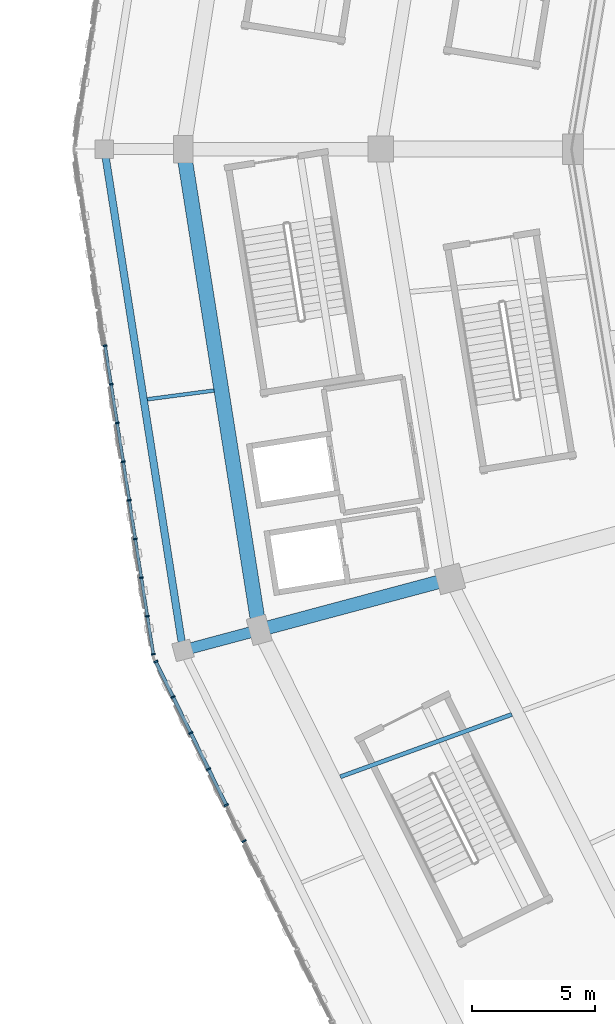
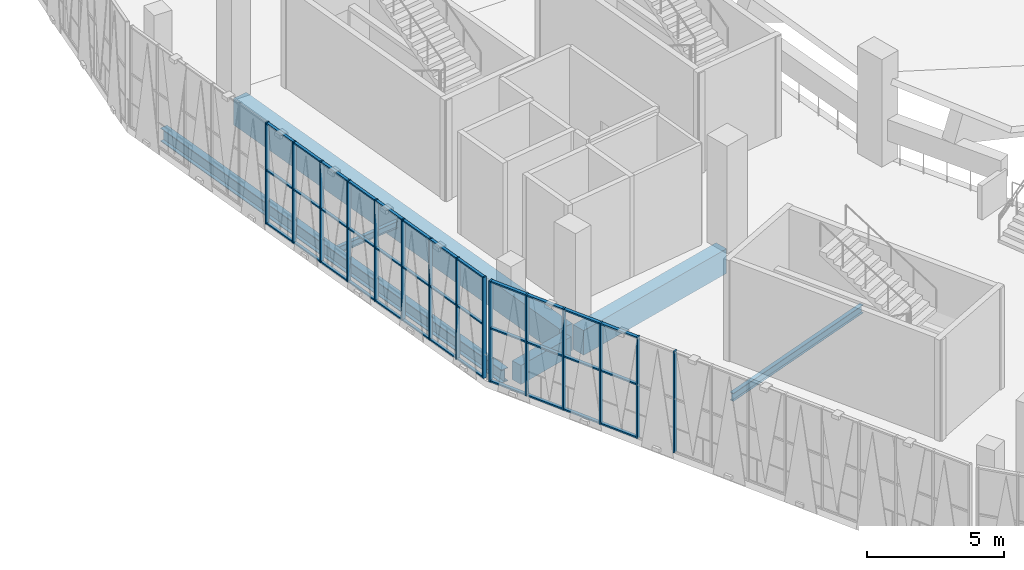
# One storey, part 19 of 183: 51 members, 6 beams, 2 elements without a shape of their own.
"""IFC4 building model written with IfcOpenShell, lengths in metres."""

from ifc_helpers import new_model, si_unit, direction, frame, origin, origin_2d, place, context, subcontext, project, spatial, rectangle, i_section, extrude, material, material_profile, profile_set, type_object, element, aggregate, save


model = new_model("IFC4")

# Units and contexts
model_context = context("Model", 3, precision=1e-05, world=origin(), true_north=direction((0.0, 1.0)))
body_context = subcontext(model_context, "Body", "Model", "MODEL_VIEW")
ifc_project = project(units=[si_unit("LENGTHUNIT", "METRE"), si_unit("AREAUNIT", "SQUARE_METRE"), si_unit("VOLUMEUNIT", "CUBIC_METRE"), si_unit("PLANEANGLEUNIT", "RADIAN"), si_unit("MASSUNIT", "GRAM", prefix="KILO")], contexts=[model_context])

# Site, building, storey
site_placement = place(None, origin())
site = spatial("IfcSite", under=ifc_project, at=site_placement, CompositionType="ELEMENT")
building_placement = place(site_placement, origin())
building = spatial("IfcBuilding", under=site, at=building_placement, Name="Zevraka Park Crest Stadium", CompositionType="ELEMENT")
storey_placement = place(building_placement, frame((0.0, 0.0, 5.39990234375)))
storey = spatial("IfcBuildingStorey", under=building, at=storey_placement, Name="L01", CompositionType="ELEMENT", Elevation=5.39990234375)

# Beams
ifc_material_1 = material(Name="Concrete C40/50", Category="concrete")
ifc_material_profile_1 = material_profile(ifc_material_1, rectangle(XDim=0.550048828125, YDim=1.10009765625, at=origin_2d()), Name="RC 1100x550")
ifc_profile_set_1 = profile_set([ifc_material_profile_1], Name="Concrete C40/50")
beam_type_1 = type_object("IfcBeamType", Name="BG02", PredefinedType="BEAM", material=ifc_profile_set_1)
beam_1_placement = place(storey_placement, frame((32.214111328125, 74.5029296875, -0.559814453125), z_axis=(-0.965968812251, -0.258658565986, 0.0), x_axis=(0.258658565986, -0.965968812251, 0.0)))
element("IfcBeam", 1, at=beam_1_placement, inside=storey, type_object=beam_type_1, Name="Radial Girder BG02 L01-CD-13", PredefinedType="BEAM", context=body_context, shape_type="SweptSolid", body=[
    extrude(rectangle(XDim=0.550048828125, YDim=1.10009765625, at=origin_2d()), origin(), (0.0, 0.0, 1.0), 7.39892578125),
])
ifc_material_2 = material(Name="Concrete C40/50", Category="concrete")
ifc_material_profile_2 = material_profile(ifc_material_2, rectangle(XDim=0.449951171875, YDim=0.85009765625, at=origin_2d()), Name="RC 850x450")
ifc_profile_set_2 = profile_set([ifc_material_profile_2], Name="Concrete C40/50")
beam_type_2 = type_object("IfcBeamType", Name="BG03", PredefinedType="BEAM", material=ifc_profile_set_2)
beam_2_placement = place(storey_placement, frame((24.487060546875, 72.43310546875, -0.434814453125), z_axis=(-0.965992888406, -0.258568636051, 0.0), x_axis=(0.258568636051, -0.965992888406, 0.0)))
element("IfcBeam", 2, at=beam_2_placement, inside=storey, type_object=beam_type_2, Name="Radial Girder BG03 L01-DE-13", PredefinedType="BEAM", context=body_context, shape_type="SweptSolid", body=[
    extrude(rectangle(XDim=0.449951171875, YDim=0.85009765625, at=origin_2d()), origin(), (0.0, 0.0, 1.0), 2.599365234375),
])

# Curtain wall, members
ifc_material_3 = material(Name="Anodised architectural aluminium and laminated safety glass", Category="aluminium")
curtain_wall_type_1 = type_object("IfcCurtainWallType", Name="CW01", PredefinedType="NOTDEFINED", material=ifc_material_3)
curtain_wall_1_placement = place(storey_placement, origin())
curtain_wall_1 = element("IfcCurtainWall", 3, at=curtain_wall_1_placement, inside=storey, type_object=curtain_wall_type_1, Name="Unitised Ring Curtain Wall CW01 L01-12", PredefinedType="NOTDEFINED")
ifc_material_4 = material(Name="Anodised architectural aluminium", Category="aluminium")
ifc_material_profile_3 = material_profile(ifc_material_4, rectangle(XDim=0.159912109375, YDim=0.06005859375, at=origin_2d()), Name="ALU MULLION 160x60")
ifc_profile_set_3 = profile_set([ifc_material_profile_3], Name="Anodised architectural aluminium")
member_type_1 = type_object("IfcMemberType", Name="CM01", PredefinedType="MULLION", material=ifc_profile_set_3)
member_1_placement = place(storey_placement, frame((18.5263671875, 84.03662109375, 0.0), z_axis=(0.0, 0.0, 1.0), x_axis=(0.987996544735, 0.154475977394, 0.0)))
member_1 = element("IfcMember", 4, at=member_1_placement, type_object=member_type_1, Name="CW01 mullion 6", PredefinedType="MULLION", context=body_context, shape_type="SweptSolid", body=[
    extrude(rectangle(XDim=0.159912109375, YDim=0.06005859375, at=origin_2d()), origin(), (0.0, 0.0, 1.0), 4.52001953125),
])
member_2_placement = place(storey_placement, frame((18.771484375, 82.46923828125, 0.0), z_axis=(0.0, 0.0, 1.0), x_axis=(0.987996544735, 0.154475977394, 0.0)))
member_2 = element("IfcMember", 5, at=member_2_placement, type_object=member_type_1, Name="CW01 mullion 7", PredefinedType="MULLION", context=body_context, shape_type="SweptSolid", body=[
    extrude(rectangle(XDim=0.159912109375, YDim=0.06005859375, at=origin_2d()), origin(), (0.0, 0.0, 1.0), 4.52001953125),
])
member_3_placement = place(storey_placement, frame((19.0166015625, 80.90185546875, 0.0), z_axis=(0.0, 0.0, 1.0), x_axis=(0.987996544735, 0.154475977394, 0.0)))
member_3 = element("IfcMember", 6, at=member_3_placement, type_object=member_type_1, Name="CW01 mullion 8", PredefinedType="MULLION", context=body_context, shape_type="SweptSolid", body=[
    extrude(rectangle(XDim=0.159912109375, YDim=0.06005859375, at=origin_2d()), origin(), (0.0, 0.0, 1.0), 4.52001953125),
])
member_4_placement = place(storey_placement, frame((19.26171875, 79.334228515625, 0.0), z_axis=(0.0, 0.0, 1.0), x_axis=(0.987996544735, 0.154475977394, 0.0)))
member_4 = element("IfcMember", 7, at=member_4_placement, type_object=member_type_1, Name="CW01 mullion 9", PredefinedType="MULLION", context=body_context, shape_type="SweptSolid", body=[
    extrude(rectangle(XDim=0.159912109375, YDim=0.06005859375, at=origin_2d()), origin(), (0.0, 0.0, 1.0), 4.52001953125),
])
member_5_placement = place(storey_placement, frame((19.506591796875, 77.766845703125, 0.0), z_axis=(0.0, 0.0, 1.0), x_axis=(0.987996544735, 0.154475977394, 0.0)))
member_5 = element("IfcMember", 8, at=member_5_placement, type_object=member_type_1, Name="CW01 mullion 10", PredefinedType="MULLION", context=body_context, shape_type="SweptSolid", body=[
    extrude(rectangle(XDim=0.159912109375, YDim=0.06005859375, at=origin_2d()), origin(), (0.0, 0.0, 1.0), 4.52001953125),
])
member_6_placement = place(storey_placement, frame((19.751708984375, 76.199462890625, 0.0), z_axis=(0.0, 0.0, 1.0), x_axis=(0.987996544735, 0.154475977394, 0.0)))
member_6 = element("IfcMember", 9, at=member_6_placement, type_object=member_type_1, Name="CW01 mullion 11", PredefinedType="MULLION", context=body_context, shape_type="SweptSolid", body=[
    extrude(rectangle(XDim=0.159912109375, YDim=0.06005859375, at=origin_2d()), origin(), (0.0, 0.0, 1.0), 4.52001953125),
])
member_7_placement = place(storey_placement, frame((19.996826171875, 74.6318359375, 0.0), z_axis=(0.0, 0.0, 1.0), x_axis=(0.987996544735, 0.154475977394, 0.0)))
member_7 = element("IfcMember", 10, at=member_7_placement, type_object=member_type_1, Name="CW01 mullion 12", PredefinedType="MULLION", context=body_context, shape_type="SweptSolid", body=[
    extrude(rectangle(XDim=0.159912109375, YDim=0.06005859375, at=origin_2d()), origin(), (0.0, 0.0, 1.0), 4.52001953125),
])
member_8_placement = place(storey_placement, frame((20.241943359375, 73.064453125, 0.0), z_axis=(0.0, 0.0, 1.0), x_axis=(0.987996544735, 0.154475977394, 0.0)))
member_8 = element("IfcMember", 11, at=member_8_placement, type_object=member_type_1, Name="CW01 mullion 13", PredefinedType="MULLION", context=body_context, shape_type="SweptSolid", body=[
    extrude(rectangle(XDim=0.159912109375, YDim=0.06005859375, at=origin_2d()), origin(), (0.0, 0.0, 1.0), 4.52001953125),
])
member_9_placement = place(storey_placement, frame((20.482421875, 71.526611328125, 0.0), z_axis=(0.0, 0.0, 1.0), x_axis=(0.987996544735, 0.154475977394, 0.0)))
member_9 = element("IfcMember", 12, at=member_9_placement, type_object=member_type_1, Name="CW01 mullion 14", PredefinedType="MULLION", context=body_context, shape_type="SweptSolid", body=[
    extrude(rectangle(XDim=0.159912109375, YDim=0.06005859375, at=origin_2d()), origin(), (0.0, 0.0, 1.0), 4.52001953125),
])

ifc_material_5 = material(Name="Anodised architectural aluminium and laminated safety glass", Category="aluminium")
curtain_wall_type_2 = type_object("IfcCurtainWallType", Name="CW02", PredefinedType="NOTDEFINED", material=ifc_material_5)
curtain_wall_2_placement = place(storey_placement, origin())
curtain_wall_2 = element("IfcCurtainWall", 13, at=curtain_wall_2_placement, inside=storey, type_object=curtain_wall_type_2, Name="Unitised Ring Curtain Wall CW02 L01-13", PredefinedType="NOTDEFINED")
ifc_material_6 = material(Name="Anodised architectural aluminium", Category="aluminium")
ifc_material_profile_4 = material_profile(ifc_material_6, rectangle(XDim=0.179931640625, YDim=0.06494140625, at=origin_2d()), Name="ALU MULLION 180x65")
ifc_profile_set_4 = profile_set([ifc_material_profile_4], Name="Anodised architectural aluminium")
member_type_2 = type_object("IfcMemberType", Name="CM02", PredefinedType="MULLION", material=ifc_profile_set_4)
member_10_placement = place(storey_placement, frame((20.578369140625, 71.226806640625, 0.0), z_axis=(0.0, 0.0, 1.0), x_axis=(0.897252732312, 0.44151730924, 0.0)))
member_10 = element("IfcMember", 14, at=member_10_placement, type_object=member_type_2, Name="CW02 mullion 1", PredefinedType="MULLION", context=body_context, shape_type="SweptSolid", body=[
    extrude(rectangle(XDim=0.179931640625, YDim=0.06494140625, at=origin_2d()), origin(), (0.0, 0.0, 1.0), 4.52001953125),
])
member_11_placement = place(storey_placement, frame((21.282958984375, 69.794921875, 0.0), z_axis=(0.0, 0.0, 1.0), x_axis=(0.897252732312, 0.44151730924, 0.0)))
member_11 = element("IfcMember", 15, at=member_11_placement, type_object=member_type_2, Name="CW02 mullion 2", PredefinedType="MULLION", context=body_context, shape_type="SweptSolid", body=[
    extrude(rectangle(XDim=0.179931640625, YDim=0.06494140625, at=origin_2d()), origin(), (0.0, 0.0, 1.0), 4.52001953125),
])
member_12_placement = place(storey_placement, frame((22.001953125, 68.333740234375, 0.0), z_axis=(0.0, 0.0, 1.0), x_axis=(0.897252732312, 0.44151730924, 0.0)))
member_12 = element("IfcMember", 16, at=member_12_placement, type_object=member_type_2, Name="CW02 mullion 3", PredefinedType="MULLION", context=body_context, shape_type="SweptSolid", body=[
    extrude(rectangle(XDim=0.179931640625, YDim=0.06494140625, at=origin_2d()), origin(), (0.0, 0.0, 1.0), 4.52001953125),
])
member_13_placement = place(storey_placement, frame((22.720947265625, 66.87255859375, 0.0), z_axis=(0.0, 0.0, 1.0), x_axis=(0.897252732312, 0.44151730924, 0.0)))
member_13 = element("IfcMember", 17, at=member_13_placement, type_object=member_type_2, Name="CW02 mullion 4", PredefinedType="MULLION", context=body_context, shape_type="SweptSolid", body=[
    extrude(rectangle(XDim=0.179931640625, YDim=0.06494140625, at=origin_2d()), origin(), (0.0, 0.0, 1.0), 4.52001953125),
])
member_14_placement = place(storey_placement, frame((23.43994140625, 65.411376953125, 0.0), z_axis=(0.0, 0.0, 1.0), x_axis=(0.897252732312, 0.44151730924, 0.0)))
member_14 = element("IfcMember", 18, at=member_14_placement, type_object=member_type_2, Name="CW02 mullion 5", PredefinedType="MULLION", context=body_context, shape_type="SweptSolid", body=[
    extrude(rectangle(XDim=0.179931640625, YDim=0.06494140625, at=origin_2d()), origin(), (0.0, 0.0, 1.0), 4.52001953125),
])
member_15_placement = place(storey_placement, frame((24.158935546875, 63.9501953125, 0.0), z_axis=(0.0, 0.0, 1.0), x_axis=(0.897252732312, 0.44151730924, 0.0)))
member_15 = element("IfcMember", 19, at=member_15_placement, type_object=member_type_2, Name="CW02 mullion 6", PredefinedType="MULLION", context=body_context, shape_type="SweptSolid", body=[
    extrude(rectangle(XDim=0.179931640625, YDim=0.06494140625, at=origin_2d()), origin(), (0.0, 0.0, 1.0), 4.52001953125),
])

# Member
ifc_material_7 = material(Name="Anodised architectural aluminium", Category="aluminium")
ifc_material_profile_5 = material_profile(ifc_material_7, rectangle(XDim=0.1201171875, YDim=0.06005859375, at=origin_2d()), Name="ALU TRANSOM 120x60")
ifc_profile_set_5 = profile_set([ifc_material_profile_5], Name="Anodised architectural aluminium")
member_type_3 = type_object("IfcMemberType", Name="CT01", PredefinedType="USERDEFINED", material=ifc_profile_set_5)
member_16_placement = place(storey_placement, frame((18.531005859375, 84.007080078125, 0.030029296875), z_axis=(0.154484205161, -0.987995258266, 0.0), x_axis=(0.987995258266, 0.154484205161, 0.0)))
member_16 = element("IfcMember", 20, at=member_16_placement, type_object=member_type_3, Name="CW01 transom 6.1", ObjectType="TRANSOM", PredefinedType="USERDEFINED", context=body_context, shape_type="SweptSolid", body=[
    extrude(rectangle(XDim=0.1201171875, YDim=0.06005859375, at=origin_2d()), origin(), (0.0, 0.0, 1.0), 1.526611328125),
])

member_17_placement = place(storey_placement, frame((18.531005859375, 84.007080078125, 2.400146484375), z_axis=(0.154484205161, -0.987995258266, 0.0), x_axis=(0.987995258266, 0.154484205161, 0.0)))
member_17 = element("IfcMember", 21, at=member_17_placement, type_object=member_type_3, Name="CW01 transom 6.2", ObjectType="TRANSOM", PredefinedType="USERDEFINED", context=body_context, shape_type="SweptSolid", body=[
    extrude(rectangle(XDim=0.1201171875, YDim=0.06005859375, at=origin_2d()), origin(), (0.0, 0.0, 1.0), 1.526611328125),
])

member_18_placement = place(storey_placement, frame((18.531005859375, 84.007080078125, 4.489990234375), z_axis=(0.154484205161, -0.987995258266, 0.0), x_axis=(0.987995258266, 0.154484205161, 0.0)))
member_18 = element("IfcMember", 22, at=member_18_placement, type_object=member_type_3, Name="CW01 transom 6.3", ObjectType="TRANSOM", PredefinedType="USERDEFINED", context=body_context, shape_type="SweptSolid", body=[
    extrude(rectangle(XDim=0.1201171875, YDim=0.06005859375, at=origin_2d()), origin(), (0.0, 0.0, 1.0), 1.526611328125),
])

member_19_placement = place(storey_placement, frame((18.776123046875, 82.439697265625, 0.030029296875), z_axis=(0.154484205161, -0.987995258266, 0.0), x_axis=(0.987995258266, 0.154484205161, 0.0)))
member_19 = element("IfcMember", 23, at=member_19_placement, type_object=member_type_3, Name="CW01 transom 7.1", ObjectType="TRANSOM", PredefinedType="USERDEFINED", context=body_context, shape_type="SweptSolid", body=[
    extrude(rectangle(XDim=0.1201171875, YDim=0.06005859375, at=origin_2d()), origin(), (0.0, 0.0, 1.0), 1.526611328125),
])

member_20_placement = place(storey_placement, frame((18.776123046875, 82.439697265625, 2.400146484375), z_axis=(0.154484205161, -0.987995258266, 0.0), x_axis=(0.987995258266, 0.154484205161, 0.0)))
member_20 = element("IfcMember", 24, at=member_20_placement, type_object=member_type_3, Name="CW01 transom 7.2", ObjectType="TRANSOM", PredefinedType="USERDEFINED", context=body_context, shape_type="SweptSolid", body=[
    extrude(rectangle(XDim=0.1201171875, YDim=0.06005859375, at=origin_2d()), origin(), (0.0, 0.0, 1.0), 1.526611328125),
])

member_21_placement = place(storey_placement, frame((18.776123046875, 82.439697265625, 4.489990234375), z_axis=(0.154484205161, -0.987995258266, 0.0), x_axis=(0.987995258266, 0.154484205161, 0.0)))
member_21 = element("IfcMember", 25, at=member_21_placement, type_object=member_type_3, Name="CW01 transom 7.3", ObjectType="TRANSOM", PredefinedType="USERDEFINED", context=body_context, shape_type="SweptSolid", body=[
    extrude(rectangle(XDim=0.1201171875, YDim=0.06005859375, at=origin_2d()), origin(), (0.0, 0.0, 1.0), 1.526611328125),
])

member_22_placement = place(storey_placement, frame((19.021240234375, 80.8720703125, 0.030029296875), z_axis=(0.154508617741, -0.987991440774, 0.0), x_axis=(0.987991440774, 0.154508617741, 0.0)))
member_22 = element("IfcMember", 26, at=member_22_placement, type_object=member_type_3, Name="CW01 transom 8.1", ObjectType="TRANSOM", PredefinedType="USERDEFINED", context=body_context, shape_type="SweptSolid", body=[
    extrude(rectangle(XDim=0.1201171875, YDim=0.06005859375, at=origin_2d()), origin(), (0.0, 0.0, 1.0), 1.5263671875),
])

member_23_placement = place(storey_placement, frame((19.021240234375, 80.8720703125, 2.400146484375), z_axis=(0.154508617741, -0.987991440774, 0.0), x_axis=(0.987991440774, 0.154508617741, 0.0)))
member_23 = element("IfcMember", 27, at=member_23_placement, type_object=member_type_3, Name="CW01 transom 8.2", ObjectType="TRANSOM", PredefinedType="USERDEFINED", context=body_context, shape_type="SweptSolid", body=[
    extrude(rectangle(XDim=0.1201171875, YDim=0.06005859375, at=origin_2d()), origin(), (0.0, 0.0, 1.0), 1.5263671875),
])

member_24_placement = place(storey_placement, frame((19.021240234375, 80.8720703125, 4.489990234375), z_axis=(0.154508617741, -0.987991440774, 0.0), x_axis=(0.987991440774, 0.154508617741, 0.0)))
member_24 = element("IfcMember", 28, at=member_24_placement, type_object=member_type_3, Name="CW01 transom 8.3", ObjectType="TRANSOM", PredefinedType="USERDEFINED", context=body_context, shape_type="SweptSolid", body=[
    extrude(rectangle(XDim=0.1201171875, YDim=0.06005859375, at=origin_2d()), origin(), (0.0, 0.0, 1.0), 1.5263671875),
])

member_25_placement = place(storey_placement, frame((19.266357421875, 79.3046875, 0.030029296875), z_axis=(0.154328094427, -0.988019655306, 0.0), x_axis=(0.988019655306, 0.154328094427, 0.0)))
member_25 = element("IfcMember", 29, at=member_25_placement, type_object=member_type_3, Name="CW01 transom 9.1", ObjectType="TRANSOM", PredefinedType="USERDEFINED", context=body_context, shape_type="SweptSolid", body=[
    extrude(rectangle(XDim=0.1201171875, YDim=0.06005859375, at=origin_2d()), origin(), (0.0, 0.0, 1.0), 1.526611328125),
])

member_26_placement = place(storey_placement, frame((19.266357421875, 79.3046875, 2.400146484375), z_axis=(0.154328094427, -0.988019655306, 0.0), x_axis=(0.988019655306, 0.154328094427, 0.0)))
member_26 = element("IfcMember", 30, at=member_26_placement, type_object=member_type_3, Name="CW01 transom 9.2", ObjectType="TRANSOM", PredefinedType="USERDEFINED", context=body_context, shape_type="SweptSolid", body=[
    extrude(rectangle(XDim=0.1201171875, YDim=0.06005859375, at=origin_2d()), origin(), (0.0, 0.0, 1.0), 1.526611328125),
])

member_27_placement = place(storey_placement, frame((19.266357421875, 79.3046875, 4.489990234375), z_axis=(0.154328094427, -0.988019655306, 0.0), x_axis=(0.988019655306, 0.154328094427, 0.0)))
member_27 = element("IfcMember", 31, at=member_27_placement, type_object=member_type_3, Name="CW01 transom 9.3", ObjectType="TRANSOM", PredefinedType="USERDEFINED", context=body_context, shape_type="SweptSolid", body=[
    extrude(rectangle(XDim=0.1201171875, YDim=0.06005859375, at=origin_2d()), origin(), (0.0, 0.0, 1.0), 1.526611328125),
])

member_28_placement = place(storey_placement, frame((19.51123046875, 77.7373046875, 0.030029296875), z_axis=(0.154484205161, -0.987995258266, 0.0), x_axis=(0.987995258266, 0.154484205161, 0.0)))
member_28 = element("IfcMember", 32, at=member_28_placement, type_object=member_type_3, Name="CW01 transom 10.1", ObjectType="TRANSOM", PredefinedType="USERDEFINED", context=body_context, shape_type="SweptSolid", body=[
    extrude(rectangle(XDim=0.1201171875, YDim=0.06005859375, at=origin_2d()), origin(), (0.0, 0.0, 1.0), 1.526611328125),
])

member_29_placement = place(storey_placement, frame((19.51123046875, 77.7373046875, 2.400146484375), z_axis=(0.154484205161, -0.987995258266, 0.0), x_axis=(0.987995258266, 0.154484205161, 0.0)))
member_29 = element("IfcMember", 33, at=member_29_placement, type_object=member_type_3, Name="CW01 transom 10.2", ObjectType="TRANSOM", PredefinedType="USERDEFINED", context=body_context, shape_type="SweptSolid", body=[
    extrude(rectangle(XDim=0.1201171875, YDim=0.06005859375, at=origin_2d()), origin(), (0.0, 0.0, 1.0), 1.526611328125),
])

member_30_placement = place(storey_placement, frame((19.51123046875, 77.7373046875, 4.489990234375), z_axis=(0.154484205161, -0.987995258266, 0.0), x_axis=(0.987995258266, 0.154484205161, 0.0)))
member_30 = element("IfcMember", 34, at=member_30_placement, type_object=member_type_3, Name="CW01 transom 10.3", ObjectType="TRANSOM", PredefinedType="USERDEFINED", context=body_context, shape_type="SweptSolid", body=[
    extrude(rectangle(XDim=0.1201171875, YDim=0.06005859375, at=origin_2d()), origin(), (0.0, 0.0, 1.0), 1.526611328125),
])

member_31_placement = place(storey_placement, frame((19.75634765625, 76.169677734375, 0.030029296875), z_axis=(0.154508617741, -0.987991440774, 0.0), x_axis=(0.987991440774, 0.154508617741, 0.0)))
member_31 = element("IfcMember", 35, at=member_31_placement, type_object=member_type_3, Name="CW01 transom 11.1", ObjectType="TRANSOM", PredefinedType="USERDEFINED", context=body_context, shape_type="SweptSolid", body=[
    extrude(rectangle(XDim=0.1201171875, YDim=0.06005859375, at=origin_2d()), origin(), (0.0, 0.0, 1.0), 1.5263671875),
])

member_32_placement = place(storey_placement, frame((19.75634765625, 76.169677734375, 2.400146484375), z_axis=(0.154508617741, -0.987991440774, 0.0), x_axis=(0.987991440774, 0.154508617741, 0.0)))
member_32 = element("IfcMember", 36, at=member_32_placement, type_object=member_type_3, Name="CW01 transom 11.2", ObjectType="TRANSOM", PredefinedType="USERDEFINED", context=body_context, shape_type="SweptSolid", body=[
    extrude(rectangle(XDim=0.1201171875, YDim=0.06005859375, at=origin_2d()), origin(), (0.0, 0.0, 1.0), 1.5263671875),
])

member_33_placement = place(storey_placement, frame((19.75634765625, 76.169677734375, 4.489990234375), z_axis=(0.154508617741, -0.987991440774, 0.0), x_axis=(0.987991440774, 0.154508617741, 0.0)))
member_33 = element("IfcMember", 37, at=member_33_placement, type_object=member_type_3, Name="CW01 transom 11.3", ObjectType="TRANSOM", PredefinedType="USERDEFINED", context=body_context, shape_type="SweptSolid", body=[
    extrude(rectangle(XDim=0.1201171875, YDim=0.06005859375, at=origin_2d()), origin(), (0.0, 0.0, 1.0), 1.5263671875),
])

member_34_placement = place(storey_placement, frame((20.00146484375, 74.602294921875, 0.030029296875), z_axis=(0.154484205161, -0.987995258266, 0.0), x_axis=(0.987995258266, 0.154484205161, 0.0)))
member_34 = element("IfcMember", 38, at=member_34_placement, type_object=member_type_3, Name="CW01 transom 12.1", ObjectType="TRANSOM", PredefinedType="USERDEFINED", context=body_context, shape_type="SweptSolid", body=[
    extrude(rectangle(XDim=0.1201171875, YDim=0.06005859375, at=origin_2d()), origin(), (0.0, 0.0, 1.0), 1.526611328125),
])

member_35_placement = place(storey_placement, frame((20.00146484375, 74.602294921875, 2.400146484375), z_axis=(0.154484205161, -0.987995258266, 0.0), x_axis=(0.987995258266, 0.154484205161, 0.0)))
member_35 = element("IfcMember", 39, at=member_35_placement, type_object=member_type_3, Name="CW01 transom 12.2", ObjectType="TRANSOM", PredefinedType="USERDEFINED", context=body_context, shape_type="SweptSolid", body=[
    extrude(rectangle(XDim=0.1201171875, YDim=0.06005859375, at=origin_2d()), origin(), (0.0, 0.0, 1.0), 1.526611328125),
])

member_36_placement = place(storey_placement, frame((20.00146484375, 74.602294921875, 4.489990234375), z_axis=(0.154484205161, -0.987995258266, 0.0), x_axis=(0.987995258266, 0.154484205161, 0.0)))
member_36 = element("IfcMember", 40, at=member_36_placement, type_object=member_type_3, Name="CW01 transom 12.3", ObjectType="TRANSOM", PredefinedType="USERDEFINED", context=body_context, shape_type="SweptSolid", body=[
    extrude(rectangle(XDim=0.1201171875, YDim=0.06005859375, at=origin_2d()), origin(), (0.0, 0.0, 1.0), 1.526611328125),
])

member_37_placement = place(storey_placement, frame((20.24658203125, 73.034912109375, 0.030029296875), z_axis=(0.154496320273, -0.987993363855, 0.0), x_axis=(0.987993363855, 0.154496320273, 0.0)))
member_37 = element("IfcMember", 41, at=member_37_placement, type_object=member_type_3, Name="CW01 transom 13.1", ObjectType="TRANSOM", PredefinedType="USERDEFINED", context=body_context, shape_type="SweptSolid", body=[
    extrude(rectangle(XDim=0.1201171875, YDim=0.06005859375, at=origin_2d()), origin(), (0.0, 0.0, 1.0), 1.49658203125),
])

member_38_placement = place(storey_placement, frame((20.24658203125, 73.034912109375, 2.400146484375), z_axis=(0.154496320273, -0.987993363855, 0.0), x_axis=(0.987993363855, 0.154496320273, 0.0)))
member_38 = element("IfcMember", 42, at=member_38_placement, type_object=member_type_3, Name="CW01 transom 13.2", ObjectType="TRANSOM", PredefinedType="USERDEFINED", context=body_context, shape_type="SweptSolid", body=[
    extrude(rectangle(XDim=0.1201171875, YDim=0.06005859375, at=origin_2d()), origin(), (0.0, 0.0, 1.0), 1.49658203125),
])

member_39_placement = place(storey_placement, frame((20.24658203125, 73.034912109375, 4.489990234375), z_axis=(0.154496320273, -0.987993363855, 0.0), x_axis=(0.987993363855, 0.154496320273, 0.0)))
member_39 = element("IfcMember", 43, at=member_39_placement, type_object=member_type_3, Name="CW01 transom 13.3", ObjectType="TRANSOM", PredefinedType="USERDEFINED", context=body_context, shape_type="SweptSolid", body=[
    extrude(rectangle(XDim=0.1201171875, YDim=0.06005859375, at=origin_2d()), origin(), (0.0, 0.0, 1.0), 1.49658203125),
])

aggregate(curtain_wall_1, [member_1, member_2, member_3, member_4, member_5, member_6, member_7, member_8, member_9, member_16, member_17, member_18, member_19, member_20, member_21, member_22, member_23, member_24, member_25, member_26, member_27, member_28, member_29, member_30, member_31, member_32, member_33, member_34, member_35, member_36, member_37, member_38, member_39])

ifc_material_8 = material(Name="Anodised architectural aluminium", Category="aluminium")
ifc_material_profile_6 = material_profile(ifc_material_8, rectangle(XDim=0.139892578125, YDim=0.06494140625, at=origin_2d()), Name="ALU TRANSOM 140x65")
ifc_profile_set_6 = profile_set([ifc_material_profile_6], Name="Anodised architectural aluminium")
member_type_4 = type_object("IfcMemberType", Name="CT02", PredefinedType="USERDEFINED", material=ifc_profile_set_6)
member_40_placement = place(storey_placement, frame((20.5927734375, 71.19775390625, 0.03271484375), z_axis=(0.441399645127, -0.897310622517, 0.0), x_axis=(0.897310622517, 0.441399645127, 0.0)))
member_40 = element("IfcMember", 44, at=member_40_placement, type_object=member_type_4, Name="CW02 transom 1.1", ObjectType="TRANSOM", PredefinedType="USERDEFINED", context=body_context, shape_type="SweptSolid", body=[
    extrude(rectangle(XDim=0.139892578125, YDim=0.06494140625, at=origin_2d()), origin(), (0.0, 0.0, 1.0), 1.531005859375),
])

member_41_placement = place(storey_placement, frame((20.5927734375, 71.19775390625, 2.400146484375), z_axis=(0.441399645127, -0.897310622517, 0.0), x_axis=(0.897310622517, 0.441399645127, 0.0)))
member_41 = element("IfcMember", 45, at=member_41_placement, type_object=member_type_4, Name="CW02 transom 1.2", ObjectType="TRANSOM", PredefinedType="USERDEFINED", context=body_context, shape_type="SweptSolid", body=[
    extrude(rectangle(XDim=0.139892578125, YDim=0.06494140625, at=origin_2d()), origin(), (0.0, 0.0, 1.0), 1.531005859375),
])

member_42_placement = place(storey_placement, frame((20.5927734375, 71.19775390625, 4.487548828125), z_axis=(0.441399645127, -0.897310622517, 0.0), x_axis=(0.897310622517, 0.441399645127, 0.0)))
member_42 = element("IfcMember", 46, at=member_42_placement, type_object=member_type_4, Name="CW02 transom 1.3", ObjectType="TRANSOM", PredefinedType="USERDEFINED", context=body_context, shape_type="SweptSolid", body=[
    extrude(rectangle(XDim=0.139892578125, YDim=0.06494140625, at=origin_2d()), origin(), (0.0, 0.0, 1.0), 1.531005859375),
])

member_43_placement = place(storey_placement, frame((21.29736328125, 69.765625, 0.03271484375), z_axis=(0.441457762434, -0.897282031463, 0.0), x_axis=(0.897282031463, 0.441457762434, 0.0)))
member_43 = element("IfcMember", 47, at=member_43_placement, type_object=member_type_4, Name="CW02 transom 2.1", ObjectType="TRANSOM", PredefinedType="USERDEFINED", context=body_context, shape_type="SweptSolid", body=[
    extrude(rectangle(XDim=0.139892578125, YDim=0.06494140625, at=origin_2d()), origin(), (0.0, 0.0, 1.0), 1.5634765625),
])

member_44_placement = place(storey_placement, frame((21.29736328125, 69.765625, 2.400146484375), z_axis=(0.441457762434, -0.897282031463, 0.0), x_axis=(0.897282031463, 0.441457762434, 0.0)))
member_44 = element("IfcMember", 48, at=member_44_placement, type_object=member_type_4, Name="CW02 transom 2.2", ObjectType="TRANSOM", PredefinedType="USERDEFINED", context=body_context, shape_type="SweptSolid", body=[
    extrude(rectangle(XDim=0.139892578125, YDim=0.06494140625, at=origin_2d()), origin(), (0.0, 0.0, 1.0), 1.5634765625),
])

member_45_placement = place(storey_placement, frame((21.29736328125, 69.765625, 4.487548828125), z_axis=(0.441457762434, -0.897282031463, 0.0), x_axis=(0.897282031463, 0.441457762434, 0.0)))
member_45 = element("IfcMember", 49, at=member_45_placement, type_object=member_type_4, Name="CW02 transom 2.3", ObjectType="TRANSOM", PredefinedType="USERDEFINED", context=body_context, shape_type="SweptSolid", body=[
    extrude(rectangle(XDim=0.139892578125, YDim=0.06494140625, at=origin_2d()), origin(), (0.0, 0.0, 1.0), 1.5634765625),
])

member_46_placement = place(storey_placement, frame((22.016357421875, 68.304443359375, 0.03271484375), z_axis=(0.441457762434, -0.897282031463, 0.0), x_axis=(0.897282031463, 0.441457762434, 0.0)))
member_46 = element("IfcMember", 50, at=member_46_placement, type_object=member_type_4, Name="CW02 transom 3.1", ObjectType="TRANSOM", PredefinedType="USERDEFINED", context=body_context, shape_type="SweptSolid", body=[
    extrude(rectangle(XDim=0.139892578125, YDim=0.06494140625, at=origin_2d()), origin(), (0.0, 0.0, 1.0), 1.5634765625),
])

member_47_placement = place(storey_placement, frame((22.016357421875, 68.304443359375, 2.400146484375), z_axis=(0.441457762434, -0.897282031463, 0.0), x_axis=(0.897282031463, 0.441457762434, 0.0)))
member_47 = element("IfcMember", 51, at=member_47_placement, type_object=member_type_4, Name="CW02 transom 3.2", ObjectType="TRANSOM", PredefinedType="USERDEFINED", context=body_context, shape_type="SweptSolid", body=[
    extrude(rectangle(XDim=0.139892578125, YDim=0.06494140625, at=origin_2d()), origin(), (0.0, 0.0, 1.0), 1.5634765625),
])

member_48_placement = place(storey_placement, frame((22.016357421875, 68.304443359375, 4.487548828125), z_axis=(0.441457762434, -0.897282031463, 0.0), x_axis=(0.897282031463, 0.441457762434, 0.0)))
member_48 = element("IfcMember", 52, at=member_48_placement, type_object=member_type_4, Name="CW02 transom 3.3", ObjectType="TRANSOM", PredefinedType="USERDEFINED", context=body_context, shape_type="SweptSolid", body=[
    extrude(rectangle(XDim=0.139892578125, YDim=0.06494140625, at=origin_2d()), origin(), (0.0, 0.0, 1.0), 1.5634765625),
])

member_49_placement = place(storey_placement, frame((22.7353515625, 66.84326171875, 0.03271484375), z_axis=(0.441457762434, -0.897282031463, 0.0), x_axis=(0.897282031463, 0.441457762434, 0.0)))
member_49 = element("IfcMember", 53, at=member_49_placement, type_object=member_type_4, Name="CW02 transom 4.1", ObjectType="TRANSOM", PredefinedType="USERDEFINED", context=body_context, shape_type="SweptSolid", body=[
    extrude(rectangle(XDim=0.139892578125, YDim=0.06494140625, at=origin_2d()), origin(), (0.0, 0.0, 1.0), 1.5634765625),
])

member_50_placement = place(storey_placement, frame((22.7353515625, 66.84326171875, 2.400146484375), z_axis=(0.441457762434, -0.897282031463, 0.0), x_axis=(0.897282031463, 0.441457762434, 0.0)))
member_50 = element("IfcMember", 54, at=member_50_placement, type_object=member_type_4, Name="CW02 transom 4.2", ObjectType="TRANSOM", PredefinedType="USERDEFINED", context=body_context, shape_type="SweptSolid", body=[
    extrude(rectangle(XDim=0.139892578125, YDim=0.06494140625, at=origin_2d()), origin(), (0.0, 0.0, 1.0), 1.5634765625),
])

member_51_placement = place(storey_placement, frame((22.7353515625, 66.84326171875, 4.487548828125), z_axis=(0.441457762434, -0.897282031463, 0.0), x_axis=(0.897282031463, 0.441457762434, 0.0)))
member_51 = element("IfcMember", 55, at=member_51_placement, type_object=member_type_4, Name="CW02 transom 4.3", ObjectType="TRANSOM", PredefinedType="USERDEFINED", context=body_context, shape_type="SweptSolid", body=[
    extrude(rectangle(XDim=0.139892578125, YDim=0.06494140625, at=origin_2d()), origin(), (0.0, 0.0, 1.0), 1.5634765625),
])

aggregate(curtain_wall_2, [member_10, member_11, member_12, member_13, member_14, member_15, member_40, member_41, member_42, member_43, member_44, member_45, member_46, member_47, member_48, member_49, member_50, member_51])

# Beams
ifc_material_9 = material(Name="Concrete C40/50", Category="concrete")
ifc_material_profile_7 = material_profile(ifc_material_9, rectangle(XDim=0.60009765625, YDim=1.199951171875, at=origin_2d()), Name="RC 1200x600")
ifc_profile_set_7 = profile_set([ifc_material_profile_7], Name="Concrete C40/50")
beam_type_3 = type_object("IfcBeamType", Name="RB01", PredefinedType="BEAM", material=ifc_profile_set_7)
beam_3_placement = place(storey_placement, frame((21.759033203125, 91.625, -0.60986328125), z_axis=(0.155972486086, -0.987761400129, 0.0), x_axis=(0.987761400129, 0.155972486086, 0.0)))
element("IfcBeam", 56, at=beam_3_placement, inside=storey, type_object=beam_type_3, Name="Ring Beam RB01 L01-D-12", PredefinedType="BEAM", context=body_context, shape_type="SweptSolid", body=[
    extrude(rectangle(XDim=0.60009765625, YDim=1.199951171875, at=origin_2d()), origin(), (0.0, 0.0, 1.0), 18.97119140625),
])
ifc_material_10 = material(Name="Steel S355", Category="steel")
ifc_material_profile_8 = material_profile(ifc_material_10, i_section(OverallWidth=0.300048828125, OverallDepth=0.60009765625, WebThickness=0.015380859375, FlangeThickness=0.030029296875, at=origin_2d()), Name="HEB 600")
ifc_profile_set_8 = profile_set([ifc_material_profile_8], Name="Steel S355")
beam_type_4 = type_object("IfcBeamType", Name="RB03", PredefinedType="BEAM", material=ifc_profile_set_8)
beam_4_placement = place(storey_placement, frame((18.553955078125, 91.654052734375, -0.60498046875), z_axis=(0.154952716421, -0.987921887435, 0.0), x_axis=(0.987921887435, 0.154952716421, 0.0)))
element("IfcBeam", 57, at=beam_4_placement, inside=storey, type_object=beam_type_4, Name="Ring Beam RB03 L01-E-12", PredefinedType="BEAM", context=body_context, shape_type="SweptSolid", body=[
    extrude(i_section(OverallWidth=0.300048828125, OverallDepth=0.60009765625, WebThickness=0.015380859375, FlangeThickness=0.030029296875, at=origin_2d()), origin(), (0.0, 0.0, 1.0), 19.864990234375),
])
ifc_material_11 = material(Name="Steel S355", Category="steel")
ifc_material_profile_9 = material_profile(ifc_material_11, i_section(OverallWidth=0.14990234375, OverallDepth=0.300048828125, WebThickness=0.007080078125, FlangeThickness=0.0107421875, at=origin_2d()), Name="IPE 300")
ifc_profile_set_9 = profile_set([ifc_material_profile_9], Name="Steel S355")
beam_type_5 = type_object("IfcBeamType", Name="SJ01", PredefinedType="JOIST", material=ifc_profile_set_9)
beam_5_placement = place(storey_placement, frame((22.946044921875, 82.217041015625, -0.4580078125), z_axis=(-0.991431166896, -0.130630169971, 0.0), x_axis=(0.130630169971, -0.991431166896, 0.0)))
element("IfcBeam", 58, at=beam_5_placement, inside=storey, type_object=beam_type_5, Name="Floor Joist SJ01 L01-DE-12-1", PredefinedType="JOIST", context=body_context, shape_type="SweptSolid", body=[
    extrude(i_section(OverallWidth=0.14990234375, OverallDepth=0.300048828125, WebThickness=0.007080078125, FlangeThickness=0.0107421875, at=origin_2d()), origin(), (0.0, 0.0, 1.0), 2.732421875),
])
ifc_material_12 = material(Name="Steel S355", Category="steel")
ifc_material_profile_10 = material_profile(ifc_material_12, i_section(OverallWidth=0.169921875, OverallDepth=0.360107421875, WebThickness=0.008056640625, FlangeThickness=0.0126953125, at=origin_2d()), Name="IPE 360")
ifc_profile_set_10 = profile_set([ifc_material_profile_10], Name="Steel S355")
beam_type_6 = type_object("IfcBeamType", Name="SJ02", PredefinedType="JOIST", material=ifc_profile_set_10)
beam_6_placement = place(storey_placement, frame((35.013916015625, 69.0869140625, -0.48779296875), z_axis=(-0.939772225385, -0.341801352243, 0.0), x_axis=(0.341801352243, -0.939772225385, 0.0)))
element("IfcBeam", 59, at=beam_6_placement, inside=storey, type_object=beam_type_6, Name="Floor Joist SJ02 L01-CD-13-1", PredefinedType="JOIST", context=body_context, shape_type="SweptSolid", body=[
    extrude(i_section(OverallWidth=0.169921875, OverallDepth=0.360107421875, WebThickness=0.008056640625, FlangeThickness=0.0126953125, at=origin_2d()), origin(), (0.0, 0.0, 1.0), 7.3984375),
])

save(model, "model.ifc")
